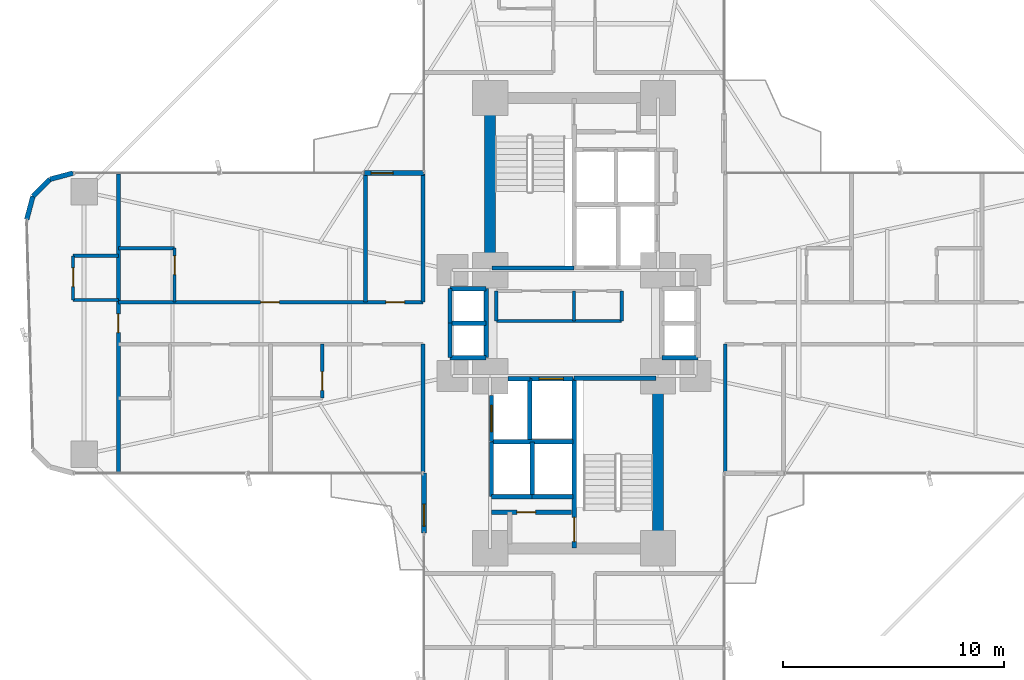
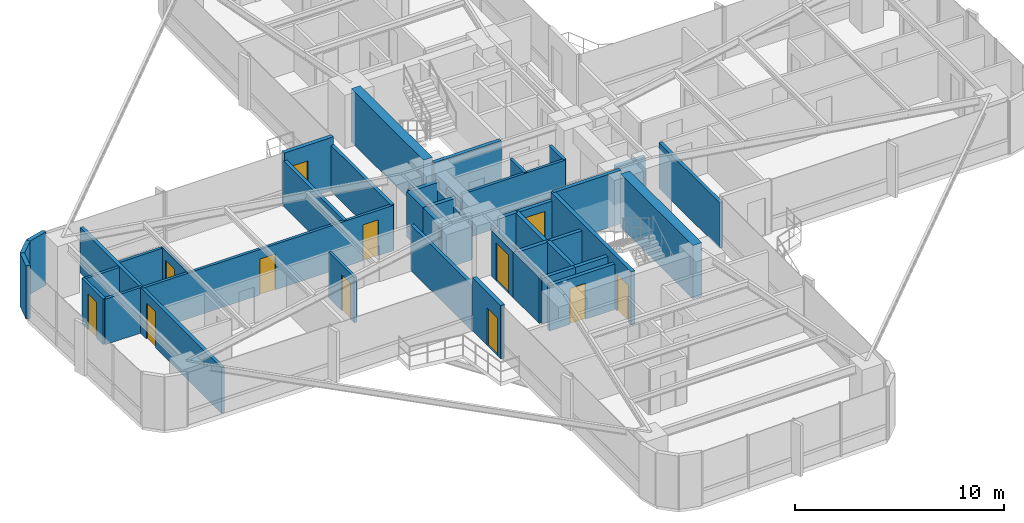
# One storey, part 22 of 26: 43 walls, 12 doors, 12 openings.
"""IFC4 building model written with IfcOpenShell, lengths in metres."""

from ifc_helpers import new_model, si_unit, direction, frame, frame_2d, origin, origin_2d, place, context, subcontext, project, spatial, rectangle, extrude, source, transform, mapped, material, layer, layer_set, type_object, element, fill, save


model = new_model("IFC4")

# Units and contexts
model_context = context("Model", 3, precision=1e-05, world=origin(), true_north=direction((0.0, 1.0)))
body_context = subcontext(model_context, "Body", "Model", "MODEL_VIEW")
ifc_project = project(units=[si_unit("LENGTHUNIT", "METRE"), si_unit("AREAUNIT", "SQUARE_METRE"), si_unit("VOLUMEUNIT", "CUBIC_METRE"), si_unit("PLANEANGLEUNIT", "RADIAN"), si_unit("MASSUNIT", "GRAM", prefix="KILO")], contexts=[model_context])

# Site, building, storey
site_placement = place(None, origin())
site = spatial("IfcSite", under=ifc_project, at=site_placement, CompositionType="ELEMENT")
building_placement = place(site_placement, origin())
building = spatial("IfcBuilding", under=site, at=building_placement, Name="Sahyath Konkavel Grand Hotel", CompositionType="ELEMENT")
storey_placement = place(building_placement, frame((0.0, 0.0, 51.050048828125)))
storey = spatial("IfcBuildingStorey", under=building, at=storey_placement, Name="L13", CompositionType="ELEMENT", Elevation=51.050048828125)

# Walls
ifc_material_1 = material(Name="Concrete C70/85", Category="concrete")
ifc_layer_1 = layer(ifc_material_1, 0.5)
ifc_layer_set_1 = layer_set([ifc_layer_1], Name="Concrete C70/85")
wall_type_1 = type_object("IfcWallType", Name="CWALL-500", PredefinedType="SHEAR", material=ifc_layer_set_1)
for number, where, z_axis, x_axis, name in (
    (1, (-3.800048828125, 2.85009765625, 0.0), (0.0, 0.0, 1.0), (0.0, 1.0, 0.0), "L13 North Core Shear Wall W"),
    (2, (3.800048828125, -9.75, 0.0), (0.0, 0.0, 1.0), (0.0, 1.0, 0.0), "L13 South Core Shear Wall E"),
):
    element("IfcWall", number, at=place(storey_placement, frame(where, z_axis=z_axis, x_axis=x_axis)), inside=storey, type_object=wall_type_1, Name=name, PredefinedType="SHEAR", context=body_context, shape_type="SweptSolid", body=[
        extrude(rectangle(XDim=6.89990234375, YDim=0.5, at=frame_2d((3.449951171875, 0.0))), origin(), (0.0, 0.0, 1.0), 3.10986328125),
    ])

# Wall, opening, door
ifc_material_2 = material(Name="Warm Buff Sandstone Insulated Concrete C40/50", Category="masonry")
ifc_layer_2 = layer(ifc_material_2, 0.219970703125)
ifc_layer_set_2 = layer_set([ifc_layer_2], Name="Warm Buff Sandstone Insulated Concrete C40/50")
wall_type_2 = type_object("IfcWallType", Name="WLL-BALC-THRESH", PredefinedType="STANDARD", material=ifc_layer_set_2)
wall_1_placement = place(storey_placement, frame((-6.800048828125, 6.800048828125, 0.0), z_axis=(0.0, 0.0, 1.0), x_axis=(-1.0, 0.0, 0.0)))
wall_1 = element("IfcWall", 3, at=wall_1_placement, inside=storey, type_object=wall_type_2, Name="L13 Winter-Garden Threshold Wall 16", PredefinedType="STANDARD", context=body_context, shape_type="SweptSolid", body=[
    extrude(rectangle(XDim=2.699951171875, YDim=0.219970703125, at=frame_2d((1.35009765625, 0.0))), origin(), (0.0, 0.0, 1.0), 3.10986328125),
])
opening_1_placement = place(wall_1_placement, frame((1.39990234375, 0.0, 0.0)))
opening_1 = element("IfcOpeningElement", 4, at=opening_1_placement, cuts=wall_1, Name="Opening D-TR1", PredefinedType="OPENING", context=body_context, shape_type="SweptSolid", body=[
    extrude(rectangle(XDim=1.0, YDim=2.199951171875, at=frame_2d((0.5, 1.10009765625))), frame((0.0, 0.1201171875, 0.0), z_axis=(0.0, -1.0, 0.0), x_axis=(1.0, 0.0, 0.0)), (0.0, 0.0, 1.0), 0.239990234375),
])
ifc_material_3 = material(Name="Anodised Bronze Aluminium & Low-E Glazing", Category="aluminium")
door_type_1 = type_object("IfcDoorType", Name="DR-TERRACE-1000", OperationType="NOTDEFINED", PredefinedType="DOOR", material=ifc_material_3)
shared_shape_1 = source(origin(), body_context, "Body", "SweptSolid", [
    extrude(rectangle(XDim=1.0, YDim=0.050048828125, at=origin_2d()), origin(), (0.0, 0.0, 1.0), 2.199951171875),
])
door_1_placement = place(opening_1_placement, frame((0.5, 0.0, 0.0)))
door_1 = element("IfcDoor", 5, at=door_1_placement, inside=storey, type_object=door_type_1, Name="L13 Winter-Garden Terrace Door 16", OperationType="SINGLE_SWING_LEFT", OverallHeight=2.199951171875, OverallWidth=1.0, PredefinedType="DOOR", context=body_context, shape_type="MappedRepresentation", body=[
    mapped(shared_shape_1, transform((0.0, 0.0, 0.0), scale=1.0)),
])
fill(opening_1, door_1)

# Walls
for number, where, z_axis, x_axis, name in (
    (6, (-22.699951171875, 6.800048828125, 0.0), (0.0, 0.0, 1.0), (-0.965951058412, -0.25872485917, 0.0), "L13 Rounded Corner Sandstone Pier 17"),
    (7, (-23.75, 6.518798828125, 0.0), (0.0, 0.0, 1.0), (-0.707106781187, -0.707106781187, 0.0), "L13 Rounded Corner Sandstone Pier 18"),
    (8, (-24.518798828125, 5.75, 0.0), (0.0, 0.0, 1.0), (-0.25872485917, -0.965951058412, 0.0), "L13 Rounded Corner Sandstone Pier 19"),
):
    element("IfcWall", number, at=place(storey_placement, frame(where, z_axis=z_axis, x_axis=x_axis)), inside=storey, type_object=wall_type_2, Name=name, PredefinedType="STANDARD", context=body_context, shape_type="SweptSolid", body=[
        extrude(rectangle(XDim=1.087158203125, YDim=0.219970703125, at=frame_2d((0.54345703125, 0.0))), origin(), (0.0, 0.0, 1.0), 3.10986328125),
    ])

# Wall, opening, door
wall_2_placement = place(storey_placement, frame((-6.800048828125, -6.800048828125, 0.0), z_axis=(0.0, 0.0, 1.0), x_axis=(0.0, -1.0, 0.0)))
wall_2 = element("IfcWall", 9, at=wall_2_placement, inside=storey, type_object=wall_type_2, Name="L13 Winter-Garden Threshold Wall 24", PredefinedType="STANDARD", context=body_context, shape_type="SweptSolid", body=[
    extrude(rectangle(XDim=2.699951171875, YDim=0.219970703125, at=frame_2d((1.35009765625, 0.0))), origin(), (0.0, 0.0, 1.0), 3.10986328125),
])
opening_2_placement = place(wall_2_placement, frame((1.39990234375, 0.0, 0.0)))
opening_2 = element("IfcOpeningElement", 10, at=opening_2_placement, cuts=wall_2, Name="Opening D-TR1", PredefinedType="OPENING", context=body_context, shape_type="SweptSolid", body=[
    extrude(rectangle(XDim=1.0, YDim=2.199951171875, at=frame_2d((0.5, 1.10009765625))), frame((0.0, 0.1201171875, 0.0), z_axis=(0.0, -1.0, 0.0), x_axis=(1.0, 0.0, 0.0)), (0.0, 0.0, 1.0), 0.239990234375),
])
door_2_placement = place(opening_2_placement, frame((0.5, 0.0, 0.0)))
door_2 = element("IfcDoor", 11, at=door_2_placement, inside=storey, type_object=door_type_1, Name="L13 Winter-Garden Terrace Door 24", OperationType="SINGLE_SWING_LEFT", OverallHeight=2.199951171875, OverallWidth=1.0, PredefinedType="DOOR", context=body_context, shape_type="MappedRepresentation", body=[
    mapped(shared_shape_1, transform((0.0, 0.0, 0.0), scale=1.0)),
])
fill(opening_2, door_2)

# Wall
ifc_material_4 = material(Name="Concrete C40/50", Category="concrete")
ifc_layer_3 = layer(ifc_material_4, 0.199951171875)
ifc_layer_set_3 = layer_set([ifc_layer_3], Name="Concrete C40/50")
wall_type_3 = type_object("IfcWallType", Name="WLL-CORE-200", PredefinedType="SOLIDWALL", material=ifc_layer_set_3)
wall_3_placement = place(storey_placement, frame((-3.719970703125, 2.5, 0.0), z_axis=(0.0, 0.0, 1.0), x_axis=(1.0, 0.0, 0.0)))
element("IfcWall", 12, at=wall_3_placement, inside=storey, type_object=wall_type_3, Name="L13 Stair ST-1 Shaft Wall S", PredefinedType="SOLIDWALL", context=body_context, shape_type="SweptSolid", body=[
    extrude(rectangle(XDim=3.719970703125, YDim=0.199951171875, at=frame_2d((1.85986328125, 0.0))), origin(), (0.0, 0.0, 1.0), 3.10986328125),
])

# Wall, opening, door
wall_4_placement = place(storey_placement, frame((0.0, -10.179931640625, 0.0), z_axis=(0.0, 0.0, 1.0), x_axis=(0.0, 1.0, 0.0)))
wall_4 = element("IfcWall", 13, at=wall_4_placement, inside=storey, type_object=wall_type_3, Name="L13 Stair ST-2 Shaft Wall W", PredefinedType="SOLIDWALL", context=body_context, shape_type="SweptSolid", body=[
    extrude(rectangle(XDim=7.679931640625, YDim=0.199951171875, at=frame_2d((3.83984375, 0.0))), origin(), (0.0, 0.0, 1.0), 3.10986328125),
])
opening_3_placement = place(wall_4_placement, frame((0.280029296875, 0.0, 0.0)))
opening_3 = element("IfcOpeningElement", 14, at=opening_3_placement, cuts=wall_4, Name="Opening D-F12B", PredefinedType="OPENING", context=body_context, shape_type="SweptSolid", body=[
    extrude(rectangle(XDim=1.10009765625, YDim=2.14990234375, at=frame_2d((0.550048828125, 1.074951171875))), frame((0.0, 0.10986328125, 0.0), z_axis=(0.0, -1.0, 0.0), x_axis=(1.0, 0.0, 0.0)), (0.0, 0.0, 1.0), 0.219970703125),
])
ifc_material_5 = material(Name="Steel E350 Smokeproof Fire Door", Category="steel")
door_type_2 = type_object("IfcDoorType", Name="DR-FD120-1100", OperationType="NOTDEFINED", PredefinedType="DOOR", material=ifc_material_5)
shared_shape_2 = source(origin(), body_context, "Body", "SweptSolid", [
    extrude(rectangle(XDim=1.10009765625, YDim=0.050048828125, at=origin_2d()), origin(), (0.0, 0.0, 1.0), 2.14990234375),
])
door_3_placement = place(opening_3_placement, frame((0.550048828125, 0.0, 0.0)))
door_3 = element("IfcDoor", 15, at=door_3_placement, inside=storey, type_object=door_type_2, Name="L13 Stair ST-2 Fire Door", OperationType="SINGLE_SWING_LEFT", OverallHeight=2.14990234375, OverallWidth=1.10009765625, PredefinedType="DOOR", context=body_context, shape_type="MappedRepresentation", body=[
    mapped(shared_shape_2, transform((0.0, 0.0, 0.0), scale=1.0)),
])
fill(opening_3, door_3)

# Walls
wall_5_placement = place(storey_placement, frame((0.0, -2.5, 0.0), z_axis=(0.0, 0.0, 1.0), x_axis=(1.0, 0.0, 0.0)))
element("IfcWall", 16, at=wall_5_placement, inside=storey, type_object=wall_type_3, Name="L13 Stair ST-2 Shaft Wall N", PredefinedType="SOLIDWALL", context=body_context, shape_type="SweptSolid", body=[
    extrude(rectangle(XDim=3.719970703125, YDim=0.199951171875, at=frame_2d((1.85986328125, 0.0))), origin(), (0.0, 0.0, 1.0), 3.10986328125),
])
wall_6_placement = place(storey_placement, frame((-2.0, -5.280029296875, 0.0), z_axis=(0.0, 0.0, 1.0), x_axis=(0.0, 1.0, 0.0)))
element("IfcWall", 17, at=wall_6_placement, inside=storey, type_object=wall_type_3, Name="L13 Partition SH-FFL2-W", PredefinedType="SOLIDWALL", context=body_context, shape_type="SweptSolid", body=[
    extrude(rectangle(XDim=2.780029296875, YDim=0.199951171875, at=frame_2d((1.39013671875, 0.0))), origin(), (0.0, 0.0, 1.0), 2.659912109375),
])

# Wall, opening, door
wall_7_placement = place(storey_placement, frame((-2.0, -2.52001953125, 0.0), z_axis=(0.0, 0.0, 1.0), x_axis=(1.0, 0.0, 0.0)))
wall_7 = element("IfcWall", 18, at=wall_7_placement, inside=storey, type_object=wall_type_3, Name="L13 Partition SH-FFL2-N", PredefinedType="SOLIDWALL", context=body_context, shape_type="SweptSolid", body=[
    extrude(rectangle(XDim=1.949951171875, YDim=0.199951171875, at=frame_2d((0.97509765625, 0.0))), origin(), (0.0, 0.0, 1.0), 2.659912109375),
])
opening_4_placement = place(wall_7_placement, frame((0.419921875, 0.0, 0.0)))
opening_4 = element("IfcOpeningElement", 19, at=opening_4_placement, cuts=wall_7, Name="Opening LD-11", PredefinedType="OPENING", context=body_context, shape_type="SweptSolid", body=[
    extrude(rectangle(XDim=1.10009765625, YDim=2.199951171875, at=frame_2d((0.550048828125, 1.10009765625))), frame((0.0, 0.10986328125, 0.0), z_axis=(0.0, -1.0, 0.0), x_axis=(1.0, 0.0, 0.0)), (0.0, 0.0, 1.0), 0.219970703125),
])
ifc_material_6 = material(Name="Bronze Lift Landing Door 1100")
door_type_3 = type_object("IfcDoorType", Name="DR-LIFT-1100", OperationType="DOUBLE_DOOR_SLIDING", PredefinedType="DOOR", material=ifc_material_6)
shared_shape_3 = source(origin(), body_context, "Body", "SweptSolid", [
    extrude(rectangle(XDim=1.10009765625, YDim=0.050048828125, at=origin_2d()), origin(), (0.0, 0.0, 1.0), 2.199951171875),
])
door_4_placement = place(opening_4_placement, frame((0.550048828125, 0.0, 0.0)))
door_4 = element("IfcDoor", 20, at=door_4_placement, inside=storey, type_object=door_type_3, Name="L13 Lift FFL-2 Landing Door", OperationType="DOUBLE_DOOR_SLIDING", OverallHeight=2.199951171875, OverallWidth=1.10009765625, PredefinedType="DOOR", context=body_context, shape_type="MappedRepresentation", body=[
    mapped(shared_shape_3, transform((0.0, 0.0, 0.0), scale=1.0)),
])
fill(opening_4, door_4)

# Wall
wall_8_placement = place(storey_placement, frame((-3.0, -2.52001953125, 0.0), z_axis=(0.0, 0.0, 1.0), x_axis=(1.0, 0.0, 0.0)))
element("IfcWall", 21, at=wall_8_placement, inside=storey, type_object=wall_type_3, Name="L13 Partition SH-SVL2-N", PredefinedType="SOLIDWALL", context=body_context, shape_type="SweptSolid", body=[
    extrude(rectangle(XDim=1.0, YDim=0.199951171875, at=frame_2d((0.5, 0.0))), origin(), (0.0, 0.0, 1.0), 2.659912109375),
])

# Wall, opening, door
wall_9_placement = place(storey_placement, frame((-3.739990234375, -5.360107421875, 0.0), z_axis=(0.0, 0.0, 1.0), x_axis=(0.0, 1.0, 0.0)))
wall_9 = element("IfcWall", 22, at=wall_9_placement, inside=storey, type_object=wall_type_3, Name="L13 Partition SH-SVL2-W", PredefinedType="SOLIDWALL", context=body_context, shape_type="SweptSolid", body=[
    extrude(rectangle(XDim=2.080078125, YDim=0.199951171875, at=frame_2d((1.0400390625, 0.0))), origin(), (0.0, 0.0, 1.0), 2.659912109375),
])
opening_5_placement = place(wall_9_placement, frame((0.43994140625, 0.0, 0.0)))
opening_5 = element("IfcOpeningElement", 23, at=opening_5_placement, cuts=wall_9, Name="Opening LD-12", PredefinedType="OPENING", context=body_context, shape_type="SweptSolid", body=[
    extrude(rectangle(XDim=1.199951171875, YDim=2.199951171875, at=frame_2d((0.60009765625, 1.10009765625))), frame((0.0, 0.10986328125, 0.0), z_axis=(0.0, -1.0, 0.0), x_axis=(1.0, 0.0, 0.0)), (0.0, 0.0, 1.0), 0.219970703125),
])
ifc_material_7 = material(Name="Stainless Steel Lift Landing Door 1200", Category="steel")
door_type_4 = type_object("IfcDoorType", Name="DR-LIFT-1200", OperationType="DOUBLE_DOOR_SLIDING", PredefinedType="DOOR", material=ifc_material_7)
shared_shape_4 = source(origin(), body_context, "Body", "SweptSolid", [
    extrude(rectangle(XDim=1.199951171875, YDim=0.050048828125, at=origin_2d()), origin(), (0.0, 0.0, 1.0), 2.199951171875),
])
door_5_placement = place(opening_5_placement, frame((0.60009765625, 0.0, 0.0)))
door_5 = element("IfcDoor", 24, at=door_5_placement, inside=storey, type_object=door_type_4, Name="L13 Service Lift SVL-2 Landing Door", OperationType="DOUBLE_DOOR_SLIDING", OverallHeight=2.199951171875, OverallWidth=1.199951171875, PredefinedType="DOOR", context=body_context, shape_type="MappedRepresentation", body=[
    mapped(shared_shape_4, transform((0.0, 0.0, 0.0), scale=1.0)),
])
fill(opening_5, door_5)

# Walls
wall_10_placement = place(storey_placement, frame((-3.739990234375, -7.860107421875, 0.0), z_axis=(0.0, 0.0, 1.0), x_axis=(0.0, 1.0, 0.0)))
element("IfcWall", 25, at=wall_10_placement, inside=storey, type_object=wall_type_3, Name="L13 Partition SH-PL3-W", PredefinedType="SOLIDWALL", context=body_context, shape_type="SweptSolid", body=[
    extrude(rectangle(XDim=2.480224609375, YDim=0.199951171875, at=frame_2d((1.240234375, 0.0))), origin(), (0.0, 0.0, 1.0), 2.659912109375),
])
wall_11_placement = place(storey_placement, frame((-3.739990234375, -7.860107421875, 0.0), z_axis=(0.0, 0.0, 1.0), x_axis=(1.0, 0.0, 0.0)))
element("IfcWall", 26, at=wall_11_placement, inside=storey, type_object=wall_type_3, Name="L13 Partition SH-PL3-S", PredefinedType="SOLIDWALL", context=body_context, shape_type="SweptSolid", body=[
    extrude(rectangle(XDim=1.840087890625, YDim=0.199951171875, at=frame_2d((0.919921875, 0.0))), origin(), (0.0, 0.0, 1.0), 2.659912109375),
])
wall_12_placement = place(storey_placement, frame((-3.739990234375, -5.3798828125, 0.0), z_axis=(0.0, 0.0, 1.0), x_axis=(1.0, 0.0, 0.0)))
element("IfcWall", 27, at=wall_12_placement, inside=storey, type_object=wall_type_3, Name="L13 Partition SH-PL34-N", PredefinedType="SOLIDWALL", context=body_context, shape_type="SweptSolid", body=[
    extrude(rectangle(XDim=3.68994140625, YDim=0.199951171875, at=frame_2d((1.844970703125, 0.0))), origin(), (0.0, 0.0, 1.0), 2.659912109375),
])
wall_13_placement = place(storey_placement, frame((-1.89990234375, -7.860107421875, 0.0), z_axis=(0.0, 0.0, 1.0), x_axis=(0.0, 1.0, 0.0)))
element("IfcWall", 28, at=wall_13_placement, inside=storey, type_object=wall_type_3, Name="L13 Partition SH-PL34-M", PredefinedType="SOLIDWALL", context=body_context, shape_type="SweptSolid", body=[
    extrude(rectangle(XDim=2.480224609375, YDim=0.199951171875, at=frame_2d((1.240234375, 0.0))), origin(), (0.0, 0.0, 1.0), 2.659912109375),
])
wall_14_placement = place(storey_placement, frame((-1.89990234375, -7.860107421875, 0.0), z_axis=(0.0, 0.0, 1.0), x_axis=(1.0, 0.0, 0.0)))
element("IfcWall", 29, at=wall_14_placement, inside=storey, type_object=wall_type_3, Name="L13 Partition SH-PL4-S", PredefinedType="SOLIDWALL", context=body_context, shape_type="SweptSolid", body=[
    extrude(rectangle(XDim=1.849853515625, YDim=0.199951171875, at=frame_2d((0.9248046875, 0.0))), origin(), (0.0, 0.0, 1.0), 2.659912109375),
])
wall_15_placement = place(storey_placement, frame((3.97998046875, -1.56005859375, 0.0), z_axis=(0.0, 0.0, 1.0), x_axis=(1.0, 0.0, 0.0)))
element("IfcWall", 30, at=wall_15_placement, inside=storey, type_object=wall_type_3, Name="L13 Partition SH-PL56-S", PredefinedType="SOLIDWALL", context=body_context, shape_type="SweptSolid", body=[
    extrude(rectangle(XDim=1.64013671875, YDim=0.199951171875, at=frame_2d((0.820068359375, 0.0))), origin(), (0.0, 0.0, 1.0), 2.659912109375),
])
wall_16_placement = place(storey_placement, frame((-3.97998046875, -1.56005859375, 0.0), z_axis=(0.0, 0.0, 1.0), x_axis=(0.0, 1.0, 0.0)))
element("IfcWall", 31, at=wall_16_placement, inside=storey, type_object=wall_type_3, Name="L13 Partition SH-SL12-E", PredefinedType="SOLIDWALL", context=body_context, shape_type="SweptSolid", body=[
    extrude(rectangle(XDim=3.1201171875, YDim=0.199951171875, at=frame_2d((1.56005859375, 0.0))), origin(), (0.0, 0.0, 1.0), 2.179931640625),
])
for number, where, z_axis, x_axis, name in (
    (32, (-5.6201171875, 1.56005859375, 0.0), (0.0, 0.0, 1.0), (1.0, 0.0, 0.0), "L13 Partition SH-SL12-N"),
    (33, (-5.6201171875, -1.56005859375, 0.0), (0.0, 0.0, 1.0), (1.0, 0.0, 0.0), "L13 Partition SH-SL12-S"),
    (34, (-5.6201171875, 0.0, 0.0), (0.0, 0.0, 1.0), (1.0, 0.0, 0.0), "L13 Partition SH-SL12-M"),
):
    element("IfcWall", number, at=place(storey_placement, frame(where, z_axis=z_axis, x_axis=x_axis)), inside=storey, type_object=wall_type_3, Name=name, PredefinedType="SOLIDWALL", context=body_context, shape_type="SweptSolid", body=[
        extrude(rectangle(XDim=1.64013671875, YDim=0.199951171875, at=frame_2d((0.820068359375, 0.0))), origin(), (0.0, 0.0, 1.0), 2.659912109375),
    ])
for number, where, z_axis, x_axis, name in (
    (35, (-5.6201171875, 0.0, 0.0), (0.0, 0.0, 1.0), (0.0, 1.0, 0.0), "L13 Partition SH-SL1-W"),
    (36, (-5.6201171875, -1.56005859375, 0.0), (0.0, 0.0, 1.0), (0.0, 1.0, 0.0), "L13 Partition SH-SL2-W"),
):
    element("IfcWall", number, at=place(storey_placement, frame(where, z_axis=z_axis, x_axis=x_axis)), inside=storey, type_object=wall_type_3, Name=name, PredefinedType="SOLIDWALL", context=body_context, shape_type="SweptSolid", body=[
        extrude(rectangle(XDim=1.56005859375, YDim=0.199951171875, at=frame_2d((0.780029296875, 0.0))), origin(), (0.0, 0.0, 1.0), 2.659912109375),
    ])

# Wall, opening, door
wall_17_placement = place(storey_placement, frame((-3.739990234375, -8.56005859375, 0.0), z_axis=(0.0, 0.0, 1.0), x_axis=(1.0, 0.0, 0.0)))
wall_17 = element("IfcWall", 37, at=wall_17_placement, inside=storey, type_object=wall_type_3, Name="L13 South FF Lobby Separation Wall", PredefinedType="SOLIDWALL", context=body_context, shape_type="SweptSolid", body=[
    extrude(rectangle(XDim=3.619873046875, YDim=0.199951171875, at=frame_2d((1.81005859375, 0.0))), origin(), (0.0, 0.0, 1.0), 2.659912109375),
])
opening_6_placement = place(wall_17_placement, frame((1.14990234375, 0.0, 0.0)))
opening_6 = element("IfcOpeningElement", 38, at=opening_6_placement, cuts=wall_17, Name="Opening D-F12D", PredefinedType="OPENING", context=body_context, shape_type="SweptSolid", body=[
    extrude(rectangle(XDim=0.85009765625, YDim=2.10009765625, at=frame_2d((0.425048828125, 1.050048828125))), frame((0.0, 0.10986328125, 0.0), z_axis=(0.0, -1.0, 0.0), x_axis=(1.0, 0.0, 0.0)), (0.0, 0.0, 1.0), 0.219970703125),
])
ifc_material_8 = material(Name="Steel E350 Core Fire Door", Category="steel")
door_type_5 = type_object("IfcDoorType", Name="DR-FD120-850", OperationType="NOTDEFINED", PredefinedType="DOOR", material=ifc_material_8)
shared_shape_5 = source(origin(), body_context, "Body", "SweptSolid", [
    extrude(rectangle(XDim=0.85009765625, YDim=0.050048828125, at=origin_2d()), origin(), (0.0, 0.0, 1.0), 2.10009765625),
])
door_6_placement = place(opening_6_placement, frame((0.425048828125, 0.0, 0.0)))
door_6 = element("IfcDoor", 39, at=door_6_placement, inside=storey, type_object=door_type_5, Name="L13 South Firefighting Lobby Door", OperationType="SINGLE_SWING_RIGHT", OverallHeight=2.10009765625, OverallWidth=0.85009765625, PredefinedType="DOOR", context=body_context, shape_type="MappedRepresentation", body=[
    mapped(shared_shape_5, transform((0.0, 0.0, 0.0), scale=1.0)),
])
fill(opening_6, door_6)

# Walls
ifc_material_9 = material(Name="Twin-Stud Acoustic Gypsum Plasterboard Partition")
ifc_layer_4 = layer(ifc_material_9, 0.179931640625)
ifc_layer_set_4 = layer_set([ifc_layer_4], Name="Twin-Stud Acoustic Gypsum Plasterboard Partition")
wall_type_4 = type_object("IfcWallType", Name="WLL-DEMISE-180", PredefinedType="PARTITIONING", material=ifc_layer_set_4)
for number, where, z_axis, x_axis, name in (
    (40, (6.85009765625, -6.75, 0.0), (0.0, 0.0, 1.0), (0.0, 1.0, 0.0), "L13 Partition E-INR"),
    (41, (-6.85009765625, -0.949951171875, 0.0), (0.0, 0.0, 1.0), (0.0, -1.0, 0.0), "L13 Partition W-INL"),
    (42, (-6.85009765625, 6.75, 0.0), (0.0, 0.0, 1.0), (0.0, -1.0, 0.0), "L13 Partition W-INR"),
    (43, (-9.449951171875, 0.949951171875, 0.0), (0.0, 0.0, 1.0), (0.0, 1.0, 0.0), "L13 Partition W-WHK-DEM"),
):
    element("IfcWall", number, at=place(storey_placement, frame(where, z_axis=z_axis, x_axis=x_axis)), inside=storey, type_object=wall_type_4, Name=name, PredefinedType="PARTITIONING", context=body_context, shape_type="SweptSolid", body=[
        extrude(rectangle(XDim=5.800048828125, YDim=0.179931640625, at=frame_2d((2.89990234375, 0.0))), origin(), (0.0, 0.0, 1.0), 2.659912109375),
    ])

# Wall, opening, door
wall_18_placement = place(storey_placement, frame((-20.64990234375, 6.75, 0.0), z_axis=(0.0, 0.0, 1.0), x_axis=(0.0, -1.0, 0.0)))
wall_18 = element("IfcWall", 44, at=wall_18_placement, inside=storey, type_object=wall_type_4, Name="L13 Partition W-WTIP-END", PredefinedType="PARTITIONING", context=body_context, shape_type="SweptSolid", body=[
    extrude(rectangle(XDim=13.5, YDim=0.179931640625, at=frame_2d((6.75, 0.0))), origin(), (0.0, 0.0, 1.0), 2.659912109375),
])
opening_7_placement = place(wall_18_placement, frame((6.324951171875, 0.0, 0.0)))
opening_7 = element("IfcOpeningElement", 45, at=opening_7_placement, cuts=wall_18, Name="Opening D-F06D", PredefinedType="OPENING", context=body_context, shape_type="SweptSolid", body=[
    extrude(rectangle(XDim=0.85009765625, YDim=2.10009765625, at=frame_2d((0.425048828125, 1.050048828125))), frame((0.0, 0.10009765625, 0.0), z_axis=(0.0, -1.0, 0.0), x_axis=(1.0, 0.0, 0.0)), (0.0, 0.0, 1.0), 0.199951171875),
])
ifc_material_10 = material(Name="Fire-Rated Shaft Access Door")
door_type_6 = type_object("IfcDoorType", Name="DR-FD60-850", OperationType="NOTDEFINED", PredefinedType="DOOR", material=ifc_material_10)
door_7_placement = place(opening_7_placement, frame((0.425048828125, 0.0, 0.0)))
door_7 = element("IfcDoor", 46, at=door_7_placement, inside=storey, type_object=door_type_6, Name="L13 Door W-WTIP-ED", OperationType="SINGLE_SWING_LEFT", OverallHeight=2.10009765625, OverallWidth=0.85009765625, PredefinedType="DOOR", context=body_context, shape_type="MappedRepresentation", body=[
    mapped(shared_shape_5, transform((0.0, 0.0, 0.0), scale=1.0)),
])
fill(opening_7, door_7)

# Walls
ifc_material_11 = material(Name="Fire-Rated Gypsum Plasterboard Partition")
ifc_layer_5 = layer(ifc_material_11, 0.14990234375)
ifc_layer_set_5 = layer_set([ifc_layer_5], Name="Fire-Rated Gypsum Plasterboard Partition")
wall_type_5 = type_object("IfcWallType", Name="WLL-PART-150", PredefinedType="PARTITIONING", material=ifc_layer_set_5)
wall_19_placement = place(storey_placement, frame((-3.52001953125, 0.10009765625, 0.0), z_axis=(0.0, 0.0, 1.0), x_axis=(1.0, 0.0, 0.0)))
element("IfcWall", 47, at=wall_19_placement, inside=storey, type_object=wall_type_5, Name="L13 Partition CC-S0-FIX", PredefinedType="PARTITIONING", context=body_context, shape_type="SweptSolid", body=[
    extrude(rectangle(XDim=5.679931640625, YDim=0.14990234375, at=frame_2d((2.83984375, 0.0))), origin(), (0.0, 0.0, 1.0), 2.659912109375),
])
wall_20_placement = place(storey_placement, frame((-3.52001953125, 0.10009765625, 0.0), z_axis=(0.0, 0.0, 1.0), x_axis=(0.0, 1.0, 0.0)))
element("IfcWall", 48, at=wall_20_placement, inside=storey, type_object=wall_type_5, Name="L13 Partition CC-W0", PredefinedType="PARTITIONING", context=body_context, shape_type="SweptSolid", body=[
    extrude(rectangle(XDim=1.35986328125, YDim=0.14990234375, at=frame_2d((0.679931640625, 0.0))), origin(), (0.0, 0.0, 1.0), 2.179931640625),
])
for number, where, z_axis, x_axis, name in (
    (49, (2.159912109375, 0.10009765625, 0.0), (0.0, 0.0, 1.0), (0.0, 1.0, 0.0), "L13 Partition CC-E0"),
    (50, (0.0, 0.10009765625, 0.0), (0.0, 0.0, 1.0), (0.0, 1.0, 0.0), "L13 Partition CC-M0"),
):
    element("IfcWall", number, at=place(storey_placement, frame(where, z_axis=z_axis, x_axis=x_axis)), inside=storey, type_object=wall_type_5, Name=name, PredefinedType="PARTITIONING", context=body_context, shape_type="SweptSolid", body=[
        extrude(rectangle(XDim=1.35986328125, YDim=0.14990234375, at=frame_2d((0.679931640625, 0.0))), origin(), (0.0, 0.0, 1.0), 2.659912109375),
    ])

# Wall, openings, doors
wall_21_placement = place(storey_placement, frame((-6.85009765625, 0.949951171875, 0.0), z_axis=(0.0, 0.0, 1.0), x_axis=(-1.0, 0.0, 0.0)))
wall_21 = element("IfcWall", 51, at=wall_21_placement, inside=storey, type_object=wall_type_5, Name="L13 Partition W-CR", PredefinedType="PARTITIONING", context=body_context, shape_type="SweptSolid", body=[
    extrude(rectangle(XDim=13.7998046875, YDim=0.14990234375, at=frame_2d((6.89990234375, 0.0))), origin(), (0.0, 0.0, 1.0), 2.659912109375),
])
opening_8_placement = place(wall_21_placement, frame((0.824951171875, 0.0, 0.0)))
opening_8 = element("IfcOpeningElement", 52, at=opening_8_placement, cuts=wall_21, Name="Opening D-F06D", PredefinedType="OPENING", context=body_context, shape_type="SweptSolid", body=[
    extrude(rectangle(XDim=0.85009765625, YDim=2.10009765625, at=frame_2d((0.425048828125, 1.050048828125))), frame((0.0, 0.0849609375, 0.0), z_axis=(0.0, -1.0, 0.0), x_axis=(1.0, 0.0, 0.0)), (0.0, 0.0, 1.0), 0.169921875),
])
opening_9_placement = place(wall_21_placement, frame((6.5, 0.0, 0.0)))
opening_9 = element("IfcOpeningElement", 53, at=opening_9_placement, cuts=wall_21, Name="Opening D-F06D", PredefinedType="OPENING", context=body_context, shape_type="SweptSolid", body=[
    extrude(rectangle(XDim=0.85009765625, YDim=2.10009765625, at=frame_2d((0.425048828125, 1.050048828125))), frame((0.0, 0.0849609375, 0.0), z_axis=(0.0, -1.0, 0.0), x_axis=(1.0, 0.0, 0.0)), (0.0, 0.0, 1.0), 0.169921875),
])
door_8_placement = place(opening_8_placement, frame((0.425048828125, 0.0, 0.0)))
door_8 = element("IfcDoor", 54, at=door_8_placement, inside=storey, type_object=door_type_6, Name="L13 Door W-WHK-D", OperationType="SINGLE_SWING_LEFT", OverallHeight=2.10009765625, OverallWidth=0.85009765625, PredefinedType="DOOR", context=body_context, shape_type="MappedRepresentation", body=[
    mapped(shared_shape_5, transform((0.0, 0.0, 0.0), scale=1.0)),
])
fill(opening_8, door_8)
door_9_placement = place(opening_9_placement, frame((0.425048828125, 0.0, 0.0)))
door_9 = element("IfcDoor", 55, at=door_9_placement, inside=storey, type_object=door_type_6, Name="L13 Door W-W4R2-ED", OperationType="SINGLE_SWING_LEFT", OverallHeight=2.10009765625, OverallWidth=0.85009765625, PredefinedType="DOOR", context=body_context, shape_type="MappedRepresentation", body=[
    mapped(shared_shape_5, transform((0.0, 0.0, 0.0), scale=1.0)),
])
fill(opening_9, door_9)

# Wall, opening, door
wall_22_placement = place(storey_placement, frame((-11.404052734375, -0.949951171875, 0.0), z_axis=(0.0, 0.0, 1.0), x_axis=(0.0, -1.0, 0.0)))
wall_22 = element("IfcWall", 56, at=wall_22_placement, inside=storey, type_object=wall_type_5, Name="L13 Partition W-W4L1-BS", PredefinedType="PARTITIONING", context=body_context, shape_type="SweptSolid", body=[
    extrude(rectangle(XDim=2.449951171875, YDim=0.14990234375, at=frame_2d((1.22509765625, 0.0))), origin(), (0.0, 0.0, 1.0), 2.659912109375),
])
opening_10_placement = place(wall_22_placement, frame((1.25, 0.0, 0.0)))
opening_10 = element("IfcOpeningElement", 57, at=opening_10_placement, cuts=wall_22, Name="Opening D-BT85", PredefinedType="OPENING", context=body_context, shape_type="SweptSolid", body=[
    extrude(rectangle(XDim=0.85009765625, YDim=2.10009765625, at=frame_2d((0.425048828125, 1.050048828125))), frame((0.0, 0.0849609375, 0.0), z_axis=(0.0, -1.0, 0.0), x_axis=(1.0, 0.0, 0.0)), (0.0, 0.0, 1.0), 0.169921875),
])
ifc_material_12 = material(Name="Moisture-Resistant Teak Bathroom Door")
door_type_7 = type_object("IfcDoorType", Name="DR-BATH-850", OperationType="NOTDEFINED", PredefinedType="DOOR", material=ifc_material_12)
door_10_placement = place(opening_10_placement, frame((0.425048828125, 0.0, 0.0)))
door_10 = element("IfcDoor", 58, at=door_10_placement, inside=storey, type_object=door_type_7, Name="L13 Door W-W4L1-BD", OperationType="SINGLE_SWING_LEFT", OverallHeight=2.10009765625, OverallWidth=0.85009765625, PredefinedType="DOOR", context=body_context, shape_type="MappedRepresentation", body=[
    mapped(shared_shape_5, transform((0.0, 0.0, 0.0), scale=1.0)),
])
fill(opening_10, door_10)

wall_23_placement = place(storey_placement, frame((-18.10009765625, 0.949951171875, 0.0), z_axis=(0.0, 0.0, 1.0), x_axis=(0.0, 1.0, 0.0)))
wall_23 = element("IfcWall", 59, at=wall_23_placement, inside=storey, type_object=wall_type_5, Name="L13 Partition W-W4R2-BS", PredefinedType="PARTITIONING", context=body_context, shape_type="SweptSolid", body=[
    extrude(rectangle(XDim=2.449951171875, YDim=0.14990234375, at=frame_2d((1.22509765625, 0.0))), origin(), (0.0, 0.0, 1.0), 2.659912109375),
])
opening_11_placement = place(wall_23_placement, frame((1.25, 0.0, 0.0)))
opening_11 = element("IfcOpeningElement", 60, at=opening_11_placement, cuts=wall_23, Name="Opening D-BT85", PredefinedType="OPENING", context=body_context, shape_type="SweptSolid", body=[
    extrude(rectangle(XDim=0.85009765625, YDim=2.10009765625, at=frame_2d((0.425048828125, 1.050048828125))), frame((0.0, 0.0849609375, 0.0), z_axis=(0.0, -1.0, 0.0), x_axis=(1.0, 0.0, 0.0)), (0.0, 0.0, 1.0), 0.169921875),
])
door_11_placement = place(opening_11_placement, frame((0.425048828125, 0.0, 0.0)))
door_11 = element("IfcDoor", 61, at=door_11_placement, inside=storey, type_object=door_type_7, Name="L13 Door W-W4R2-BD", OperationType="SINGLE_SWING_RIGHT", OverallHeight=2.10009765625, OverallWidth=0.85009765625, PredefinedType="DOOR", context=body_context, shape_type="MappedRepresentation", body=[
    mapped(shared_shape_5, transform((0.0, 0.0, 0.0), scale=1.0)),
])
fill(opening_11, door_11)

# Walls
wall_24_placement = place(storey_placement, frame((-18.10009765625, 3.39990234375, 0.0), z_axis=(0.0, 0.0, 1.0), x_axis=(-1.0, 0.0, 0.0)))
element("IfcWall", 62, at=wall_24_placement, inside=storey, type_object=wall_type_5, Name="L13 Partition W-W4R2-BF", PredefinedType="PARTITIONING", context=body_context, shape_type="SweptSolid", body=[
    extrude(rectangle(XDim=2.5498046875, YDim=0.14990234375, at=frame_2d((1.27490234375, 0.0))), origin(), (0.0, 0.0, 1.0), 2.6298828125),
])
wall_25_placement = place(storey_placement, frame((-20.64990234375, 1.050048828125, 0.0), z_axis=(0.0, 0.0, 1.0), x_axis=(-1.0, 0.0, 0.0)))
element("IfcWall", 63, at=wall_25_placement, inside=storey, type_object=wall_type_5, Name="L13 Partition W-WTIP-BN", PredefinedType="PARTITIONING", context=body_context, shape_type="SweptSolid", body=[
    extrude(rectangle(XDim=2.050048828125, YDim=0.14990234375, at=frame_2d((1.02490234375, 0.0))), origin(), (0.0, 0.0, 1.0), 2.659912109375),
])
wall_26_placement = place(storey_placement, frame((-20.64990234375, 3.050048828125, 0.0), z_axis=(0.0, 0.0, 1.0), x_axis=(-1.0, 0.0, 0.0)))
element("IfcWall", 64, at=wall_26_placement, inside=storey, type_object=wall_type_5, Name="L13 Partition W-WTIP-BS", PredefinedType="PARTITIONING", context=body_context, shape_type="SweptSolid", body=[
    extrude(rectangle(XDim=2.050048828125, YDim=0.14990234375, at=frame_2d((1.02490234375, 0.0))), origin(), (0.0, 0.0, 1.0), 2.6298828125),
])

# Wall, opening, door
wall_27_placement = place(storey_placement, frame((-22.699951171875, 3.050048828125, 0.0), z_axis=(0.0, 0.0, 1.0), x_axis=(0.0, -1.0, 0.0)))
wall_27 = element("IfcWall", 65, at=wall_27_placement, inside=storey, type_object=wall_type_5, Name="L13 Partition W-WTIP-BE", PredefinedType="PARTITIONING", context=body_context, shape_type="SweptSolid", body=[
    extrude(rectangle(XDim=2.0, YDim=0.14990234375, at=frame_2d((1.0, 0.0))), origin(), (0.0, 0.0, 1.0), 2.659912109375),
])
opening_12_placement = place(wall_27_placement, frame((0.550048828125, 0.0, 0.0)))
opening_12 = element("IfcOpeningElement", 66, at=opening_12_placement, cuts=wall_27, Name="Opening D-BT85", PredefinedType="OPENING", context=body_context, shape_type="SweptSolid", body=[
    extrude(rectangle(XDim=0.85009765625, YDim=2.10009765625, at=frame_2d((0.425048828125, 1.050048828125))), frame((0.0, 0.0849609375, 0.0), z_axis=(0.0, -1.0, 0.0), x_axis=(1.0, 0.0, 0.0)), (0.0, 0.0, 1.0), 0.169921875),
])
door_12_placement = place(opening_12_placement, frame((0.425048828125, 0.0, 0.0)))
door_12 = element("IfcDoor", 67, at=door_12_placement, inside=storey, type_object=door_type_7, Name="L13 Door W-WTIP-BD", OperationType="SINGLE_SWING_RIGHT", OverallHeight=2.10009765625, OverallWidth=0.85009765625, PredefinedType="DOOR", context=body_context, shape_type="MappedRepresentation", body=[
    mapped(shared_shape_5, transform((0.0, 0.0, 0.0), scale=1.0)),
])
fill(opening_12, door_12)

save(model, "model.ifc")
